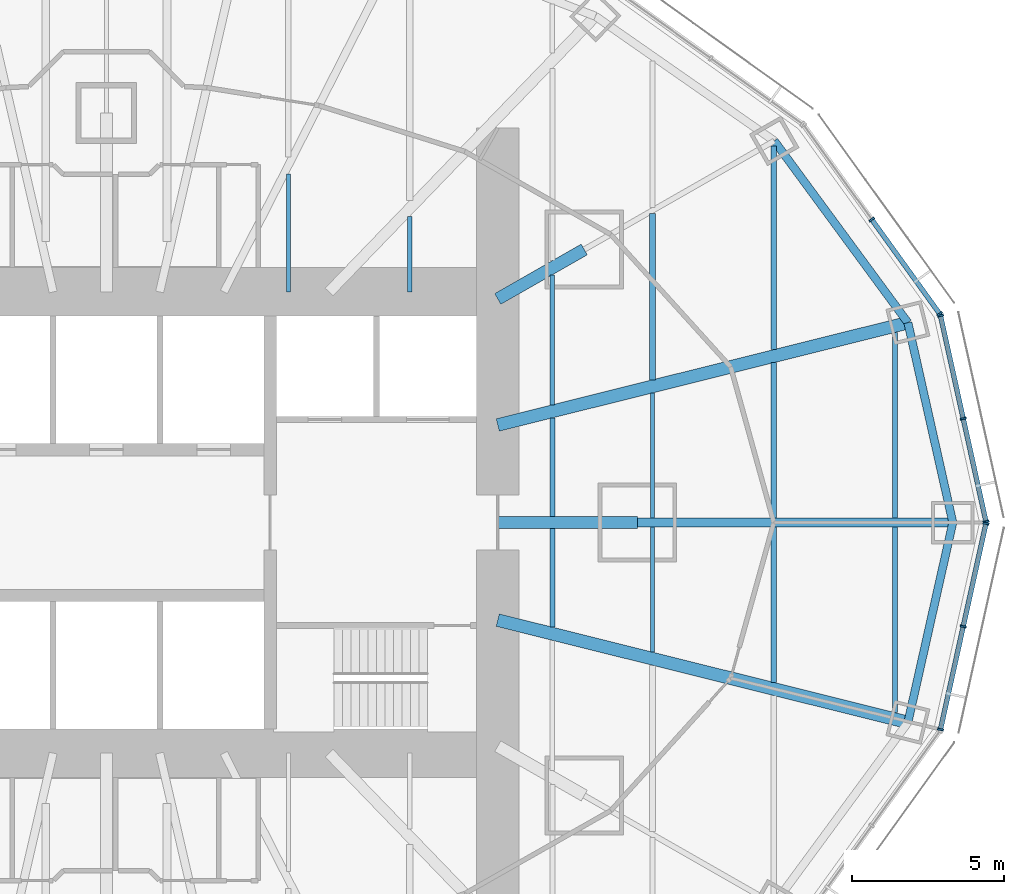
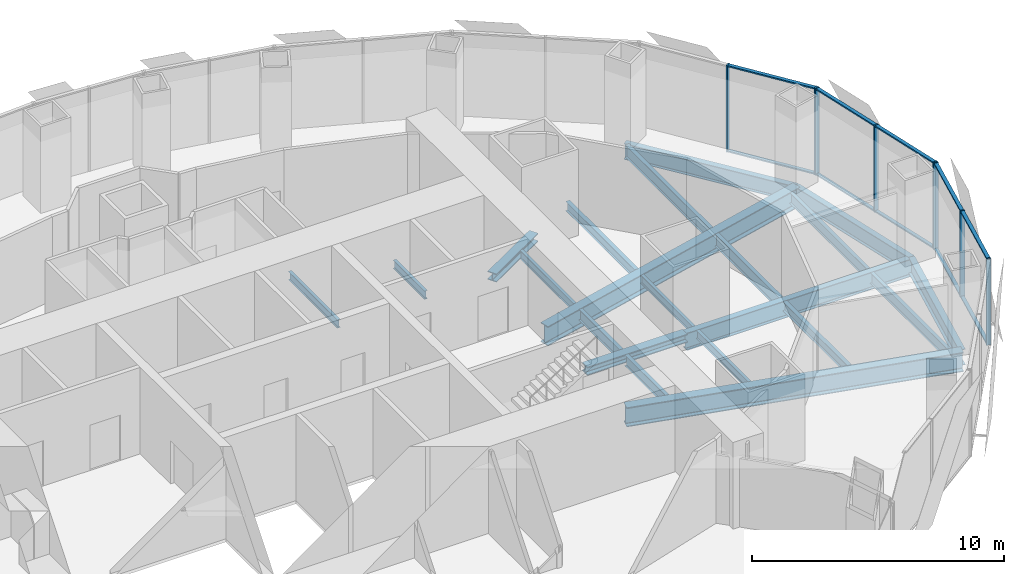
# One storey, part 6 of 17: 21 beams, 18 members, 3 elements without a shape of their own.
"""IFC4 building model written with IfcOpenShell, lengths in metres."""

from ifc_helpers import new_model, si_unit, direction, frame, origin, origin_2d, place, context, subcontext, project, spatial, rectangle, i_section, extrude, material, material_profile, profile_set, type_object, element, aggregate, save


model = new_model("IFC4")

# Units and contexts
model_context = context("Model", 3, precision=1e-05, world=origin(), true_north=direction((0.0, 1.0)))
body_context = subcontext(model_context, "Body", "Model", "MODEL_VIEW")
ifc_project = project(units=[si_unit("LENGTHUNIT", "METRE"), si_unit("AREAUNIT", "SQUARE_METRE"), si_unit("VOLUMEUNIT", "CUBIC_METRE"), si_unit("PLANEANGLEUNIT", "RADIAN"), si_unit("MASSUNIT", "GRAM", prefix="KILO")], contexts=[model_context])

# Site, building, storey
site_placement = place(None, origin())
site = spatial("IfcSite", under=ifc_project, at=site_placement, CompositionType="ELEMENT")
building_placement = place(site_placement, origin())
building = spatial("IfcBuilding", under=site, at=building_placement, Name="Lantaw Convention Tower", CompositionType="ELEMENT")
storey_placement = place(building_placement, frame((0.0, 0.0, 125.800048828125)))
storey = spatial("IfcBuildingStorey", under=building, at=storey_placement, Name="L29", CompositionType="ELEMENT", Elevation=125.800048828125)

# Beams
ifc_material_1 = material(Name="Steel ASTM A992", Category="steel")
ifc_material_profile_1 = material_profile(ifc_material_1, i_section(OverallWidth=0.2666015625, OverallDepth=0.76953125, WebThickness=0.015625, FlangeThickness=0.025390625, FilletRadius=0.0126953125, at=origin_2d()), Name="W30X132")
ifc_profile_set_1 = profile_set([ifc_material_profile_1], Name="Steel ASTM A992")
beam_type_1 = type_object("IfcBeamType", Name="Beam E W30X132", PredefinedType="SPANDREL", material=ifc_profile_set_1)
beam_1_placement = place(storey_placement, frame((27.89990234375, 0.0, -0.534912109375), z_axis=(-0.219211877447, 0.975677279015, 0.0), x_axis=(-0.975677279015, -0.219211877447, 0.0)))
element("IfcBeam", 1, at=beam_1_placement, inside=storey, type_object=beam_type_1, Name="Edge beam 1", PredefinedType="SPANDREL", context=body_context, shape_type="SweptSolid", body=[
    extrude(i_section(OverallWidth=0.2666015625, OverallDepth=0.76953125, WebThickness=0.015625, FlangeThickness=0.025390625, FilletRadius=0.0126953125, at=origin_2d()), origin(), (0.0, 0.0, 1.0), 6.75146484375),
])
beam_2_placement = place(storey_placement, frame((26.419921875, 6.587158203125, -0.534912109375), z_axis=(-0.5923891972, 0.805651934176, 0.0), x_axis=(-0.805651934176, -0.5923891972, 0.0)))
element("IfcBeam", 2, at=beam_2_placement, inside=storey, type_object=beam_type_1, Name="Edge beam 2", PredefinedType="SPANDREL", context=body_context, shape_type="SweptSolid", body=[
    extrude(i_section(OverallWidth=0.2666015625, OverallDepth=0.76953125, WebThickness=0.015625, FlangeThickness=0.025390625, FilletRadius=0.0126953125, at=origin_2d()), origin(), (0.0, 0.0, 1.0), 7.437744140625),
])
beam_3_placement = place(storey_placement, frame((26.419921875, -6.587158203125, -0.534912109375), z_axis=(0.219211877447, 0.975677279015, 0.0), x_axis=(-0.975677279015, 0.219211877447, 0.0)))
element("IfcBeam", 3, at=beam_3_placement, inside=storey, type_object=beam_type_1, Name="Edge beam 24", PredefinedType="SPANDREL", context=body_context, shape_type="SweptSolid", body=[
    extrude(i_section(OverallWidth=0.2666015625, OverallDepth=0.76953125, WebThickness=0.015625, FlangeThickness=0.025390625, FilletRadius=0.0126953125, at=origin_2d()), origin(), (0.0, 0.0, 1.0), 6.75146484375),
])
ifc_material_profile_2 = material_profile(ifc_material_1, i_section(OverallWidth=0.2919921875, OverallDepth=0.845703125, WebThickness=0.015380859375, FlangeThickness=0.0244140625, FilletRadius=0.01513671875, at=origin_2d()), Name="W33X141")
ifc_profile_set_2 = profile_set([ifc_material_profile_2], Name="Steel ASTM A992")
beam_type_2 = type_object("IfcBeamType", Name="Beam G W33X141", PredefinedType="BEAM", material=ifc_profile_set_2)
beam_4_placement = place(storey_placement, frame((17.5, 0.0, -0.572998046875), z_axis=(1.0, 0.0, 0.0), x_axis=(0.0, 1.0, 0.0)))
element("IfcBeam", 4, at=beam_4_placement, inside=storey, type_object=beam_type_2, Name="Floor girder on ray 1", PredefinedType="BEAM", context=body_context, shape_type="SweptSolid", body=[
    extrude(i_section(OverallWidth=0.2919921875, OverallDepth=0.845703125, WebThickness=0.015380859375, FlangeThickness=0.0244140625, FilletRadius=0.01513671875, at=origin_2d()), origin(), (0.0, 0.0, 1.0), 10.39990234375),
])
ifc_material_profile_3 = material_profile(ifc_material_1, i_section(OverallWidth=0.421630859375, OverallDepth=0.937255859375, WebThickness=0.0224609375, FlangeThickness=0.039794921875, FilletRadius=0.02001953125, at=origin_2d()), Name="W36X282")
ifc_profile_set_3 = profile_set([ifc_material_profile_3], Name="Steel ASTM A992")
beam_type_3 = type_object("IfcBeamType", Name="Beam G W36X282", PredefinedType="BEAM", material=ifc_profile_set_3)
for number, where, z_axis, x_axis, name in (
    (5, (12.89990234375, 3.21630859375, -0.61865234375), (0.970296903132, 0.24191717544, 0.0), (-0.24191717544, 0.970296903132, 0.0), "Floor girder on ray 2"),
    (6, (12.89990234375, -3.21630859375, -0.61865234375), (0.970296903132, -0.24191717544, 0.0), (0.24191717544, 0.970296903132, 0.0), "Floor girder on ray 24"),
):
    element("IfcBeam", number, at=place(storey_placement, frame(where, z_axis=z_axis, x_axis=x_axis)), inside=storey, type_object=beam_type_3, Name=name, PredefinedType="BEAM", context=body_context, shape_type="SweptSolid", body=[
        extrude(i_section(OverallWidth=0.421630859375, OverallDepth=0.937255859375, WebThickness=0.0224609375, FlangeThickness=0.039794921875, FilletRadius=0.02001953125, at=origin_2d()), origin(), (0.0, 0.0, 1.0), 13.933837890625),
    ])
ifc_material_profile_4 = material_profile(ifc_material_1, i_section(OverallWidth=0.40380859375, OverallDepth=0.406494140625, WebThickness=0.027099609375, FlangeThickness=0.043701171875, FilletRadius=0.01513671875, at=origin_2d()), Name="W14X233")
ifc_profile_set_4 = profile_set([ifc_material_profile_4], Name="Steel ASTM A992")
beam_type_4 = type_object("IfcBeamType", Name="Beam GM W14X233", PredefinedType="BEAM", material=ifc_profile_set_4)
beam_5_placement = place(storey_placement, frame((12.89990234375, 0.0, -0.353271484375), z_axis=(1.0, 0.0, 0.0), x_axis=(0.0, 1.0, 0.0)))
element("IfcBeam", 7, at=beam_5_placement, inside=storey, type_object=beam_type_4, Name="Core link beam on ray 1", PredefinedType="BEAM", context=body_context, shape_type="SweptSolid", body=[
    extrude(i_section(OverallWidth=0.40380859375, OverallDepth=0.406494140625, WebThickness=0.027099609375, FlangeThickness=0.043701171875, FilletRadius=0.01513671875, at=origin_2d()), origin(), (0.0, 0.0, 1.0), 4.60009765625),
])
beam_6_placement = place(storey_placement, frame((12.89990234375, 7.371337890625, -0.353271484375), z_axis=(0.868238565244, 0.496146947811, 0.0), x_axis=(-0.496146947811, 0.868238565244, 0.0)))
element("IfcBeam", 8, at=beam_6_placement, inside=storey, type_object=beam_type_4, Name="Core link beam on ray 3", PredefinedType="BEAM", context=body_context, shape_type="SweptSolid", body=[
    extrude(i_section(OverallWidth=0.40380859375, OverallDepth=0.406494140625, WebThickness=0.027099609375, FlangeThickness=0.043701171875, FilletRadius=0.01513671875, at=origin_2d()), origin(), (0.0, 0.0, 1.0), 3.28271484375),
])
ifc_material_profile_5 = material_profile(ifc_material_1, i_section(OverallWidth=0.140380859375, OverallDepth=0.40380859375, WebThickness=0.007080078125, FlangeThickness=0.01123046875, FilletRadius=0.01025390625, at=origin_2d()), Name="W16X31")
ifc_profile_set_5 = profile_set([ifc_material_profile_5], Name="Steel ASTM A992")
beam_type_5 = type_object("IfcBeamType", Name="Beam J W16X31", PredefinedType="JOIST", material=ifc_profile_set_5)
beam_7_placement = place(storey_placement, frame((6.0, 7.60009765625, -0.35205078125), z_axis=(0.0, 1.0, 0.0), x_axis=(-1.0, 0.0, 0.0)))
element("IfcBeam", 9, at=beam_7_placement, inside=storey, type_object=beam_type_5, Name="Floor joist", PredefinedType="JOIST", context=body_context, shape_type="SweptSolid", body=[
    extrude(i_section(OverallWidth=0.140380859375, OverallDepth=0.40380859375, WebThickness=0.007080078125, FlangeThickness=0.01123046875, FilletRadius=0.01025390625, at=origin_2d()), origin(), (0.0, 0.0, 1.0), 3.895751953125),
])
beam_8_placement = place(storey_placement, frame((10.0, 7.60009765625, -0.35205078125), z_axis=(0.0, 1.0, 0.0), x_axis=(-1.0, 0.0, 0.0)))
element("IfcBeam", 10, at=beam_8_placement, inside=storey, type_object=beam_type_5, Name="Floor joist", PredefinedType="JOIST", context=body_context, shape_type="SweptSolid", body=[
    extrude(i_section(OverallWidth=0.140380859375, OverallDepth=0.40380859375, WebThickness=0.007080078125, FlangeThickness=0.01123046875, FilletRadius=0.01025390625, at=origin_2d()), origin(), (0.0, 0.0, 1.0), 2.49560546875),
])
beam_9_placement = place(storey_placement, frame((14.699951171875, 3.88232421875, -0.35205078125), z_axis=(0.0, 1.0, 0.0), x_axis=(-1.0, 0.0, 0.0)))
element("IfcBeam", 11, at=beam_9_placement, inside=storey, type_object=beam_type_5, Name="Floor joist", PredefinedType="JOIST", context=body_context, shape_type="SweptSolid", body=[
    extrude(i_section(OverallWidth=0.140380859375, OverallDepth=0.40380859375, WebThickness=0.007080078125, FlangeThickness=0.01123046875, FilletRadius=0.01025390625, at=origin_2d()), origin(), (0.0, 0.0, 1.0), 4.28515625),
])
for number, where, z_axis, x_axis, name in (
    (12, (18.0, -4.270751953125, -0.35205078125), (0.0, 1.0, 0.0), (-1.0, 0.0, 0.0), "Floor joist"),
    (13, (18.0, 0.14599609375, -0.35205078125), (0.0, 1.0, 0.0), (-1.0, 0.0, 0.0), "Floor joist"),
):
    element("IfcBeam", number, at=place(storey_placement, frame(where, z_axis=z_axis, x_axis=x_axis)), inside=storey, type_object=beam_type_5, Name=name, PredefinedType="JOIST", context=body_context, shape_type="SweptSolid", body=[
        extrude(i_section(OverallWidth=0.140380859375, OverallDepth=0.40380859375, WebThickness=0.007080078125, FlangeThickness=0.01123046875, FilletRadius=0.01025390625, at=origin_2d()), origin(), (0.0, 0.0, 1.0), 4.124755859375),
    ])
ifc_material_profile_6 = material_profile(ifc_material_1, i_section(OverallWidth=0.1904296875, OverallDepth=0.457275390625, WebThickness=0.009033203125, FlangeThickness=0.014404296875, FilletRadius=0.01025390625, at=origin_2d()), Name="W18X50")
ifc_profile_set_6 = profile_set([ifc_material_profile_6], Name="Steel ASTM A992")
beam_type_6 = type_object("IfcBeamType", Name="Beam J W18X50", PredefinedType="JOIST", material=ifc_profile_set_6)
beam_10_placement = place(storey_placement, frame((18.0, 4.705078125, -0.378662109375), z_axis=(0.0, 1.0, 0.0), x_axis=(-1.0, 0.0, 0.0)))
element("IfcBeam", 14, at=beam_10_placement, inside=storey, type_object=beam_type_6, Name="Floor joist", PredefinedType="JOIST", context=body_context, shape_type="SweptSolid", body=[
    extrude(i_section(OverallWidth=0.1904296875, OverallDepth=0.457275390625, WebThickness=0.009033203125, FlangeThickness=0.014404296875, FilletRadius=0.01025390625, at=origin_2d()), origin(), (0.0, 0.0, 1.0), 5.47802734375),
])
beam_11_placement = place(storey_placement, frame((22.0, -5.267822265625, -0.378662109375), z_axis=(0.0, 1.0, 0.0), x_axis=(-1.0, 0.0, 0.0)))
element("IfcBeam", 15, at=beam_11_placement, inside=storey, type_object=beam_type_6, Name="Floor joist", PredefinedType="JOIST", context=body_context, shape_type="SweptSolid", body=[
    extrude(i_section(OverallWidth=0.1904296875, OverallDepth=0.457275390625, WebThickness=0.009033203125, FlangeThickness=0.014404296875, FilletRadius=0.01025390625, at=origin_2d()), origin(), (0.0, 0.0, 1.0), 5.121826171875),
])
ifc_material_profile_7 = material_profile(ifc_material_1, i_section(OverallWidth=0.1650390625, OverallDepth=0.52587890625, WebThickness=0.0087890625, FlangeThickness=0.011474609375, FilletRadius=0.0126953125, at=origin_2d()), Name="W21X44")
ifc_profile_set_7 = profile_set([ifc_material_profile_7], Name="Steel ASTM A992")
beam_type_7 = type_object("IfcBeamType", Name="Beam J W21X44", PredefinedType="JOIST", material=ifc_profile_set_7)
for number, where, z_axis, x_axis, name in (
    (16, (26.0, -6.26513671875, -0.412841796875), (0.0, 1.0, 0.0), (-1.0, 0.0, 0.0), "Floor joist"),
    (17, (26.0, 0.14599609375, -0.412841796875), (0.0, 1.0, 0.0), (-1.0, 0.0, 0.0), "Floor joist"),
):
    element("IfcBeam", number, at=place(storey_placement, frame(where, z_axis=z_axis, x_axis=x_axis)), inside=storey, type_object=beam_type_7, Name=name, PredefinedType="JOIST", context=body_context, shape_type="SweptSolid", body=[
        extrude(i_section(OverallWidth=0.1650390625, OverallDepth=0.52587890625, WebThickness=0.0087890625, FlangeThickness=0.011474609375, FilletRadius=0.0126953125, at=origin_2d()), origin(), (0.0, 0.0, 1.0), 6.119140625),
    ])
ifc_material_profile_8 = material_profile(ifc_material_1, i_section(OverallWidth=0.165771484375, OverallDepth=0.5283203125, WebThickness=0.009765625, FlangeThickness=0.013671875, FilletRadius=0.012939453125, at=origin_2d()), Name="W21X50")
ifc_profile_set_8 = profile_set([ifc_material_profile_8], Name="Steel ASTM A992")
beam_type_8 = type_object("IfcBeamType", Name="Beam J W21X50", PredefinedType="JOIST", material=ifc_profile_set_8)
for number, where, z_axis, x_axis, name in (
    (18, (14.699951171875, -3.44775390625, -0.414306640625), (0.0, 1.0, 0.0), (-1.0, 0.0, 0.0), "Floor joist"),
    (19, (14.699951171875, 0.201904296875, -0.414306640625), (0.0, 1.0, 0.0), (-1.0, 0.0, 0.0), "Floor joist"),
):
    element("IfcBeam", number, at=place(storey_placement, frame(where, z_axis=z_axis, x_axis=x_axis)), inside=storey, type_object=beam_type_8, Name=name, PredefinedType="JOIST", context=body_context, shape_type="SweptSolid", body=[
        extrude(i_section(OverallWidth=0.165771484375, OverallDepth=0.5283203125, WebThickness=0.009765625, FlangeThickness=0.013671875, FilletRadius=0.012939453125, at=origin_2d()), origin(), (0.0, 0.0, 1.0), 3.245849609375),
    ])
ifc_material_profile_9 = material_profile(ifc_material_1, i_section(OverallWidth=0.177978515625, OverallDepth=0.599365234375, WebThickness=0.010009765625, FlangeThickness=0.012939453125, FilletRadius=0.012939453125, at=origin_2d()), Name="W24X55")
ifc_profile_set_9 = profile_set([ifc_material_profile_9], Name="Steel ASTM A992")
beam_type_9 = type_object("IfcBeamType", Name="Beam J W24X55", PredefinedType="JOIST", material=ifc_profile_set_9)
beam_12_placement = place(storey_placement, frame((22.0, 0.14599609375, -0.44970703125), z_axis=(0.0, 1.0, 0.0), x_axis=(-1.0, 0.0, 0.0)))
element("IfcBeam", 20, at=beam_12_placement, inside=storey, type_object=beam_type_9, Name="Floor joist", PredefinedType="JOIST", context=body_context, shape_type="SweptSolid", body=[
    extrude(i_section(OverallWidth=0.177978515625, OverallDepth=0.599365234375, WebThickness=0.010009765625, FlangeThickness=0.012939453125, FilletRadius=0.012939453125, at=origin_2d()), origin(), (0.0, 0.0, 1.0), 5.121826171875),
])
beam_13_placement = place(storey_placement, frame((22.0, 5.702392578125, -0.44970703125), z_axis=(0.0, 1.0, 0.0), x_axis=(-1.0, 0.0, 0.0)))
element("IfcBeam", 21, at=beam_13_placement, inside=storey, type_object=beam_type_9, Name="Floor joist", PredefinedType="JOIST", context=body_context, shape_type="SweptSolid", body=[
    extrude(i_section(OverallWidth=0.177978515625, OverallDepth=0.599365234375, WebThickness=0.010009765625, FlangeThickness=0.012939453125, FilletRadius=0.012939453125, at=origin_2d()), origin(), (0.0, 0.0, 1.0), 6.70654296875),
])

# Curtain wall, members
ifc_material_2 = material(Name="Aluminium framed curtain wall", Category="aluminium")
curtain_wall_type = type_object("IfcCurtainWallType", Name="Office curtain wall low rise, pale aluminium", PredefinedType="USERDEFINED", material=ifc_material_2)
curtain_wall_1_placement = place(storey_placement, origin())
curtain_wall_1 = element("IfcCurtainWall", 22, at=curtain_wall_1_placement, inside=storey, type_object=curtain_wall_type, Name="Office curtain wall low rise, pale aluminium L29", ObjectType="UNITISED CURTAIN WALL", PredefinedType="USERDEFINED")
ifc_material_3 = material(Name="Aluminium 6063-T6", Category="aluminium")
ifc_material_profile_10 = material_profile(ifc_material_3, rectangle(XDim=0.199951171875, YDim=0.06494140625, at=origin_2d()), Name="CW-O1 mullion 65x200")
ifc_profile_set_10 = profile_set([ifc_material_profile_10], Name="Aluminium 6063-T6")
member_type_1 = type_object("IfcMemberType", Name="CW-O1 mullion 65x200", PredefinedType="MULLION", material=ifc_profile_set_10)
member_1_placement = place(storey_placement, frame((28.992919921875, 0.03173828125, -0.150146484375), z_axis=(0.0, 0.0, 1.0), x_axis=(-0.9764936509, -0.215546166174, 0.0)))
member_1 = element("IfcMember", 23, at=member_1_placement, type_object=member_type_1, Name="CW-O1 mullion 1", PredefinedType="MULLION", context=body_context, shape_type="SweptSolid", body=[
    extrude(rectangle(XDim=0.199951171875, YDim=0.06494140625, at=origin_2d()), origin(), (0.0, 0.0, 1.0), 4.2001953125),
])
member_2_placement = place(storey_placement, frame((28.24365234375, 3.4267578125, -0.150146484375), z_axis=(0.0, 0.0, 1.0), x_axis=(-0.9764936509, -0.215546166174, 0.0)))
member_2 = element("IfcMember", 24, at=member_2_placement, type_object=member_type_1, Name="CW-O1 mullion 2", PredefinedType="MULLION", context=body_context, shape_type="SweptSolid", body=[
    extrude(rectangle(XDim=0.199951171875, YDim=0.06494140625, at=origin_2d()), origin(), (0.0, 0.0, 1.0), 4.2001953125),
])
member_3_placement = place(storey_placement, frame((27.494140625, 6.821533203125, -0.150146484375), z_axis=(0.0, 0.0, 1.0), x_axis=(-0.9764936509, -0.215546166174, 0.0)))
member_3 = element("IfcMember", 25, at=member_3_placement, type_object=member_type_1, Name="CW-O1 mullion 3", PredefinedType="MULLION", context=body_context, shape_type="SweptSolid", body=[
    extrude(rectangle(XDim=0.199951171875, YDim=0.06494140625, at=origin_2d()), origin(), (0.0, 0.0, 1.0), 4.2001953125),
])

curtain_wall_2_placement = place(storey_placement, origin())
curtain_wall_2 = element("IfcCurtainWall", 26, at=curtain_wall_2_placement, inside=storey, type_object=curtain_wall_type, Name="Office curtain wall low rise, pale aluminium L29", ObjectType="UNITISED CURTAIN WALL", PredefinedType="USERDEFINED")
member_4_placement = place(storey_placement, frame((27.46826171875, 6.879638671875, -0.150146484375), z_axis=(0.0, 0.0, 1.0), x_axis=(-0.811384633629, -0.584512597221, 0.0)))
member_4 = element("IfcMember", 27, at=member_4_placement, type_object=member_type_1, Name="CW-O1 mullion 1", PredefinedType="MULLION", context=body_context, shape_type="SweptSolid", body=[
    extrude(rectangle(XDim=0.199951171875, YDim=0.06494140625, at=origin_2d()), origin(), (0.0, 0.0, 1.0), 4.2001953125),
])
member_5_placement = place(storey_placement, frame((25.22802734375, 9.9892578125, -0.150146484375), z_axis=(0.0, 0.0, 1.0), x_axis=(-0.811384633629, -0.584512597221, 0.0)))
member_5 = element("IfcMember", 28, at=member_5_placement, type_object=member_type_1, Name="CW-O1 mullion 2", PredefinedType="MULLION", context=body_context, shape_type="SweptSolid", body=[
    extrude(rectangle(XDim=0.199951171875, YDim=0.06494140625, at=origin_2d()), origin(), (0.0, 0.0, 1.0), 4.2001953125),
])

curtain_wall_3_placement = place(storey_placement, origin())
curtain_wall_3 = element("IfcCurtainWall", 29, at=curtain_wall_3_placement, inside=storey, type_object=curtain_wall_type, Name="Office curtain wall low rise, pale aluminium L29", ObjectType="UNITISED CURTAIN WALL", PredefinedType="USERDEFINED")
member_6_placement = place(storey_placement, frame((27.494140625, -6.821533203125, -0.150146484375), z_axis=(0.0, 0.0, 1.0), x_axis=(-0.9764936509, 0.215546166174, 0.0)))
member_6 = element("IfcMember", 30, at=member_6_placement, type_object=member_type_1, Name="CW-O1 mullion 1", PredefinedType="MULLION", context=body_context, shape_type="SweptSolid", body=[
    extrude(rectangle(XDim=0.199951171875, YDim=0.06494140625, at=origin_2d()), origin(), (0.0, 0.0, 1.0), 4.2001953125),
])
member_7_placement = place(storey_placement, frame((28.24365234375, -3.4267578125, -0.150146484375), z_axis=(0.0, 0.0, 1.0), x_axis=(-0.9764936509, 0.215546166174, 0.0)))
member_7 = element("IfcMember", 31, at=member_7_placement, type_object=member_type_1, Name="CW-O1 mullion 2", PredefinedType="MULLION", context=body_context, shape_type="SweptSolid", body=[
    extrude(rectangle(XDim=0.199951171875, YDim=0.06494140625, at=origin_2d()), origin(), (0.0, 0.0, 1.0), 4.2001953125),
])
member_8_placement = place(storey_placement, frame((28.992919921875, -0.03173828125, -0.150146484375), z_axis=(0.0, 0.0, 1.0), x_axis=(-0.9764936509, 0.215546166174, 0.0)))
member_8 = element("IfcMember", 32, at=member_8_placement, type_object=member_type_1, Name="CW-O1 mullion 3", PredefinedType="MULLION", context=body_context, shape_type="SweptSolid", body=[
    extrude(rectangle(XDim=0.199951171875, YDim=0.06494140625, at=origin_2d()), origin(), (0.0, 0.0, 1.0), 4.2001953125),
])

# Member
ifc_material_profile_11 = material_profile(ifc_material_3, rectangle(XDim=0.159912109375, YDim=0.06494140625, at=origin_2d()), Name="CW-O1 transom 65x160")
ifc_profile_set_11 = profile_set([ifc_material_profile_11], Name="Aluminium 6063-T6")
member_type_2 = type_object("IfcMemberType", Name="CW-O1 transom 65x160", PredefinedType="USERDEFINED", material=ifc_profile_set_11)
member_9_placement = place(storey_placement, frame((28.986083984375, 0.0634765625, -0.117431640625), z_axis=(-0.215536096386, 0.976495873598, 0.0), x_axis=(-0.976495873598, -0.215536096386, 0.0)))
member_9 = element("IfcMember", 33, at=member_9_placement, type_object=member_type_2, Name="CW-O1 transom 1.1", ObjectType="TRANSOM", PredefinedType="USERDEFINED", context=body_context, shape_type="SweptSolid", body=[
    extrude(rectangle(XDim=0.159912109375, YDim=0.06494140625, at=origin_2d()), origin(), (0.0, 0.0, 1.0), 3.41162109375),
])

member_10_placement = place(storey_placement, frame((28.986083984375, 0.0634765625, 4.017333984375), z_axis=(-0.215536096386, 0.976495873598, 0.0), x_axis=(-0.976495873598, -0.215536096386, 0.0)))
member_10 = element("IfcMember", 34, at=member_10_placement, type_object=member_type_2, Name="CW-O1 transom 1.2", ObjectType="TRANSOM", PredefinedType="USERDEFINED", context=body_context, shape_type="SweptSolid", body=[
    extrude(rectangle(XDim=0.159912109375, YDim=0.06494140625, at=origin_2d()), origin(), (0.0, 0.0, 1.0), 3.41162109375),
])

member_11_placement = place(storey_placement, frame((28.236572265625, 3.45849609375, -0.117431640625), z_axis=(-0.21555115847, 0.976492548913, 0.0), x_axis=(-0.976492548913, -0.21555115847, 0.0)))
member_11 = element("IfcMember", 35, at=member_11_placement, type_object=member_type_2, Name="CW-O1 transom 2.1", ObjectType="TRANSOM", PredefinedType="USERDEFINED", context=body_context, shape_type="SweptSolid", body=[
    extrude(rectangle(XDim=0.159912109375, YDim=0.06494140625, at=origin_2d()), origin(), (0.0, 0.0, 1.0), 3.411376953125),
])

member_12_placement = place(storey_placement, frame((28.236572265625, 3.45849609375, 4.017333984375), z_axis=(-0.21555115847, 0.976492548913, 0.0), x_axis=(-0.976492548913, -0.21555115847, 0.0)))
member_12 = element("IfcMember", 36, at=member_12_placement, type_object=member_type_2, Name="CW-O1 transom 2.2", ObjectType="TRANSOM", PredefinedType="USERDEFINED", context=body_context, shape_type="SweptSolid", body=[
    extrude(rectangle(XDim=0.159912109375, YDim=0.06494140625, at=origin_2d()), origin(), (0.0, 0.0, 1.0), 3.411376953125),
])

aggregate(curtain_wall_1, [member_1, member_2, member_3, member_9, member_10, member_11, member_12])

member_13_placement = place(storey_placement, frame((27.44921875, 6.906005859375, -0.117431640625), z_axis=(-0.584512973979, 0.811384362217, 0.0), x_axis=(-0.811384362217, -0.584512973979, 0.0)))
member_13 = element("IfcMember", 37, at=member_13_placement, type_object=member_type_2, Name="CW-O1 transom 1.1", ObjectType="TRANSOM", PredefinedType="USERDEFINED", context=body_context, shape_type="SweptSolid", body=[
    extrude(rectangle(XDim=0.159912109375, YDim=0.06494140625, at=origin_2d()), origin(), (0.0, 0.0, 1.0), 3.767578125),
])

member_14_placement = place(storey_placement, frame((27.44921875, 6.906005859375, 4.017333984375), z_axis=(-0.584512973979, 0.811384362217, 0.0), x_axis=(-0.811384362217, -0.584512973979, 0.0)))
member_14 = element("IfcMember", 38, at=member_14_placement, type_object=member_type_2, Name="CW-O1 transom 1.2", ObjectType="TRANSOM", PredefinedType="USERDEFINED", context=body_context, shape_type="SweptSolid", body=[
    extrude(rectangle(XDim=0.159912109375, YDim=0.06494140625, at=origin_2d()), origin(), (0.0, 0.0, 1.0), 3.767578125),
])

aggregate(curtain_wall_2, [member_4, member_5, member_13, member_14])

member_15_placement = place(storey_placement, frame((27.501220703125, -6.789794921875, -0.117431640625), z_axis=(0.21555115847, 0.976492548913, 0.0), x_axis=(-0.976492548913, 0.21555115847, 0.0)))
member_15 = element("IfcMember", 39, at=member_15_placement, type_object=member_type_2, Name="CW-O1 transom 1.1", ObjectType="TRANSOM", PredefinedType="USERDEFINED", context=body_context, shape_type="SweptSolid", body=[
    extrude(rectangle(XDim=0.159912109375, YDim=0.06494140625, at=origin_2d()), origin(), (0.0, 0.0, 1.0), 3.411376953125),
])

member_16_placement = place(storey_placement, frame((27.501220703125, -6.789794921875, 4.017333984375), z_axis=(0.21555115847, 0.976492548913, 0.0), x_axis=(-0.976492548913, 0.21555115847, 0.0)))
member_16 = element("IfcMember", 40, at=member_16_placement, type_object=member_type_2, Name="CW-O1 transom 1.2", ObjectType="TRANSOM", PredefinedType="USERDEFINED", context=body_context, shape_type="SweptSolid", body=[
    extrude(rectangle(XDim=0.159912109375, YDim=0.06494140625, at=origin_2d()), origin(), (0.0, 0.0, 1.0), 3.411376953125),
])

member_17_placement = place(storey_placement, frame((28.250732421875, -3.39501953125, -0.117431640625), z_axis=(0.215536096386, 0.976495873598, 0.0), x_axis=(-0.976495873598, 0.215536096386, 0.0)))
member_17 = element("IfcMember", 41, at=member_17_placement, type_object=member_type_2, Name="CW-O1 transom 2.1", ObjectType="TRANSOM", PredefinedType="USERDEFINED", context=body_context, shape_type="SweptSolid", body=[
    extrude(rectangle(XDim=0.159912109375, YDim=0.06494140625, at=origin_2d()), origin(), (0.0, 0.0, 1.0), 3.41162109375),
])

member_18_placement = place(storey_placement, frame((28.250732421875, -3.39501953125, 4.017333984375), z_axis=(0.215536096386, 0.976495873598, 0.0), x_axis=(-0.976495873598, 0.215536096386, 0.0)))
member_18 = element("IfcMember", 42, at=member_18_placement, type_object=member_type_2, Name="CW-O1 transom 2.2", ObjectType="TRANSOM", PredefinedType="USERDEFINED", context=body_context, shape_type="SweptSolid", body=[
    extrude(rectangle(XDim=0.159912109375, YDim=0.06494140625, at=origin_2d()), origin(), (0.0, 0.0, 1.0), 3.41162109375),
])

aggregate(curtain_wall_3, [member_6, member_7, member_8, member_15, member_16, member_17, member_18])

save(model, "model.ifc")
